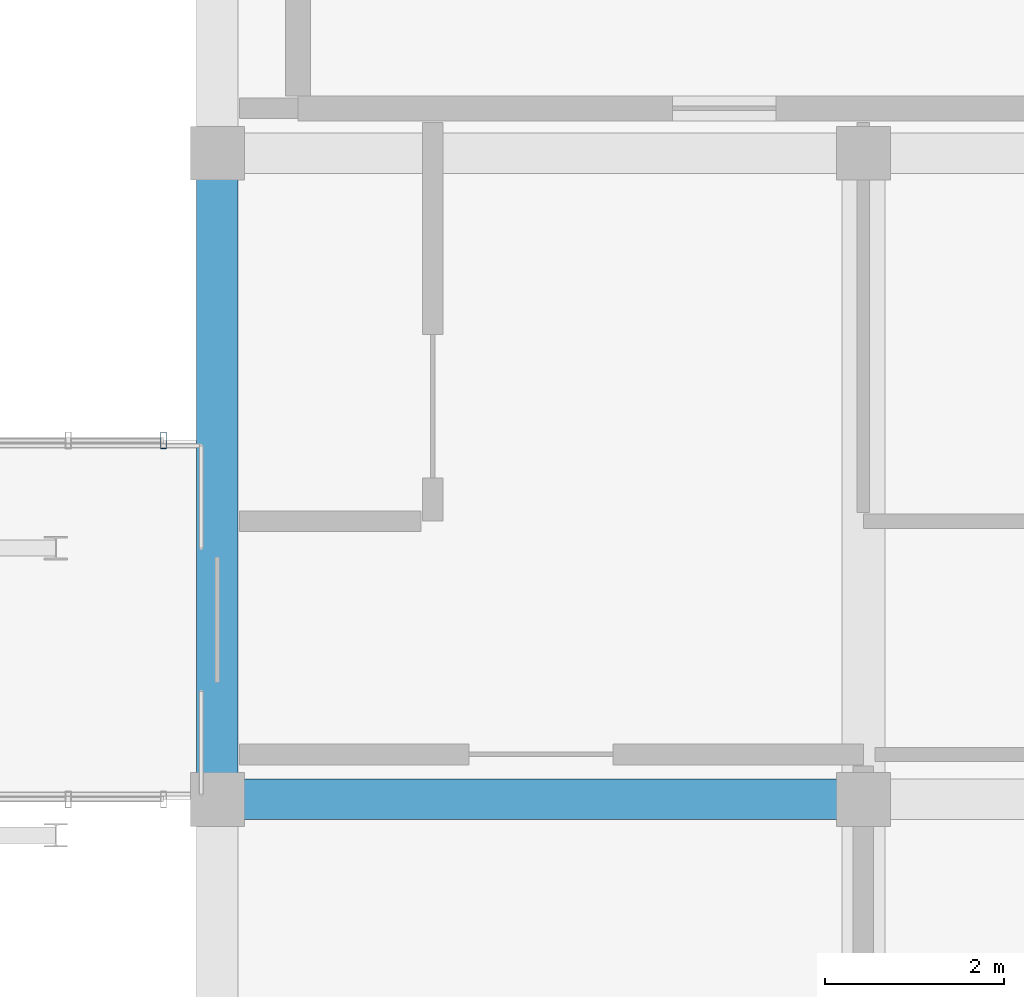
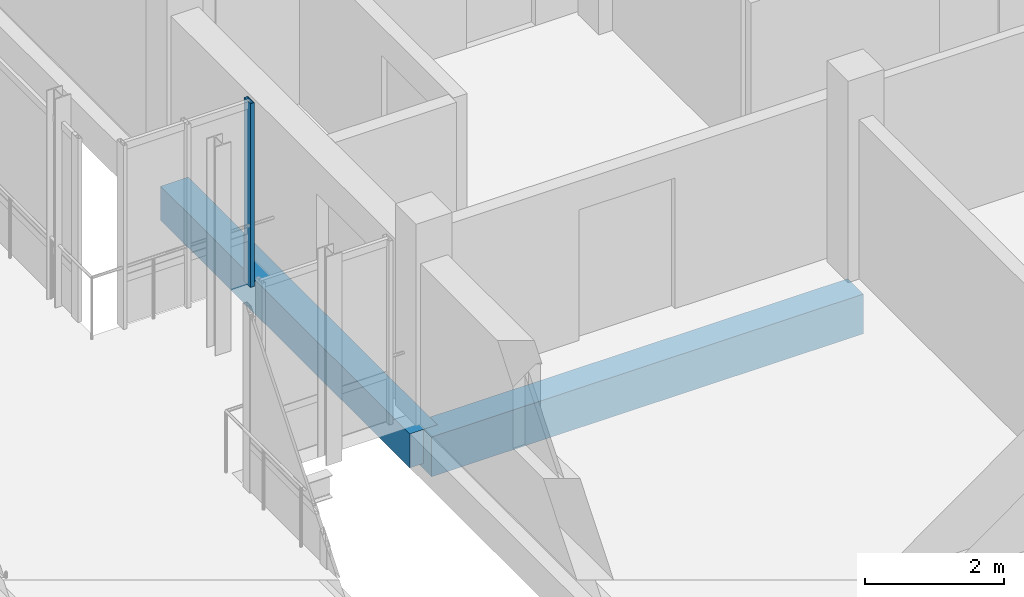
# One storey, part 19 of 128: 2 beams, 1 member, 1 element without a shape of its own.
"""IFC4 building model written with IfcOpenShell, lengths in metres."""

import ifcopenshell
import ifcopenshell.guid

model = None  # the IFC model being written
_history = None  # IfcOwnerHistory: only IFC2X3 demands one
_inside = {}  # id of a spatial element -> (the spatial element, [elements in it])
_under = {}  # id of a project, library or spatial element -> (it, [spatial elements below it])
_declared = {}  # id of a project -> (the project, [libraries it declares])
_typed = {}  # id of a type object -> (the type object, [elements of that type])
_made_of = {}  # id of a material, layer set ... -> (it, [elements and type objects made of it])


def new_model(schema):
    """Start an empty IFC model of exactly this schema.

    Asked for "IFC4X3", IfcOpenShell would pick the latest addendum, in which some entities
    have other attributes; the version numbers below select the first issue.
    IFC2X3 requires an IfcOwnerHistory on every rooted entity: one is made here for all.
    """
    global model, _history
    if schema == "IFC4X3":
        model = ifcopenshell.file(schema_version=(4, 3, 0, 0))
    else:
        model = ifcopenshell.file(schema=schema)
    _inside.clear()
    _under.clear()
    _declared.clear()
    _typed.clear()
    _made_of.clear()
    _history = None
    if model.schema == "IFC2X3":
        org = make("IfcOrganization", Name="unknown")
        user = make(
            "IfcPersonAndOrganization",
            ThePerson=make("IfcPerson", FamilyName="unknown"),
            TheOrganization=org,
        )
        app = make(
            "IfcApplication",
            ApplicationDeveloper=org,
            Version="unknown",
            ApplicationFullName="unknown",
            ApplicationIdentifier="unknown",
        )
        _history = make(
            "IfcOwnerHistory",
            OwningUser=user,
            OwningApplication=app,
            ChangeAction="ADDED",
            CreationDate=0,
        )
    return model


def make(cls, **values):
    """One entity of the class cls with the attributes given. An attribute that is None is left unset."""
    return model.create_entity(
        cls, **{name: value for name, value in values.items() if value is not None}
    )


def rooted(cls, **values):
    """An entity with a GlobalId (a new one), such as an element, a storey or a relation."""
    return make(cls, GlobalId=ifcopenshell.guid.new(), OwnerHistory=_history, **values)


def si_unit(unit_type, name, prefix=None):
    """IfcSIUnit, for example si_unit("LENGTHUNIT", "METRE", prefix="MILLI")."""
    return make("IfcSIUnit", UnitType=unit_type, Prefix=prefix, Name=name)


def assignment(units):
    """IfcUnitAssignment: the units of a project."""
    return None if units is None else make("IfcUnitAssignment", Units=units)


def point(xyz):
    """IfcCartesianPoint."""
    return None if xyz is None else make("IfcCartesianPoint", Coordinates=xyz)


def direction(xyz):
    """IfcDirection."""
    return None if xyz is None else make("IfcDirection", DirectionRatios=xyz)


def frame(location, z_axis=None, x_axis=None):
    """IfcAxis2Placement3D, a coordinate frame: its origin and axes. An axis left out is left unset."""
    return make(
        "IfcAxis2Placement3D",
        Location=point(location),
        Axis=direction(z_axis),
        RefDirection=direction(x_axis),
    )


def frame_2d(location, x_axis=None):
    """IfcAxis2Placement2D, a coordinate frame in the plane: its origin and x axis."""
    return make(
        "IfcAxis2Placement2D", Location=point(location), RefDirection=direction(x_axis)
    )


def origin():
    """The frame at (0, 0, 0) with its axes left unset."""
    return frame((0.0, 0.0, 0.0))


def origin_2d():
    """The frame at (0, 0) in the plane with its x axis left unset."""
    return frame_2d((0.0, 0.0))


def place(relative_to, where):
    """IfcLocalPlacement: puts the frame where relative to a parent placement (None: the world)."""
    return make(
        "IfcLocalPlacement", PlacementRelTo=relative_to, RelativePlacement=where
    )


def context(
    kind, dimensions, precision=None, world=None, true_north=None, identifier=None
):
    """IfcGeometricRepresentationContext, for example the 3D "Model" context."""
    return make(
        "IfcGeometricRepresentationContext",
        ContextIdentifier=identifier,
        ContextType=kind,
        CoordinateSpaceDimension=dimensions,
        Precision=precision,
        WorldCoordinateSystem=world,
        TrueNorth=true_north,
    )


def subcontext(parent, identifier, kind, view, scale=None):
    """IfcGeometricRepresentationSubContext, for example "Body" below "Model"."""
    return make(
        "IfcGeometricRepresentationSubContext",
        ContextIdentifier=identifier,
        ContextType=kind,
        ParentContext=parent,
        TargetScale=scale,
        TargetView=view,
    )


def project(units=None, contexts=None):
    """IfcProject with its units and contexts."""
    return rooted(
        "IfcProject",
        Name="project",
        RepresentationContexts=contexts,
        UnitsInContext=assignment(units),
    )


def spatial(cls, under=None, at=None, **own):
    """A site, building, storey or space (cls), placed at a placement, below another one or the project."""
    s = rooted(cls, ObjectPlacement=at, **own)
    if under is not None:
        _under.setdefault(under.id(), (under, []))[1].append(s)
    return s


def profile(cls, at=None, kind="AREA", **sizes):
    """A parametric profile (cls). Its sizes go by their IFC names, for example OverallWidth=200.0."""
    return make(cls, ProfileType=kind, Position=at, **sizes)


def rectangle(**sizes):
    """IfcRectangleProfileDef."""
    return profile("IfcRectangleProfileDef", **sizes)


def hollow_rectangle(**sizes):
    """IfcRectangleHollowProfileDef."""
    return profile("IfcRectangleHollowProfileDef", **sizes)


def extrude(swept, where, along, depth):
    """IfcExtrudedAreaSolid: the profile swept, set in the frame where, extruded along a direction by depth."""
    return make(
        "IfcExtrudedAreaSolid",
        SweptArea=swept,
        Position=where,
        ExtrudedDirection=direction(along),
        Depth=depth,
    )


def shape(context_of_items, identifier, shape_type, items):
    """IfcShapeRepresentation: the items that make up one representation, for example the "Body"."""
    return make(
        "IfcShapeRepresentation",
        ContextOfItems=context_of_items,
        RepresentationIdentifier=identifier,
        RepresentationType=shape_type,
        Items=items,
    )


def material(Name=None, Category=None):
    """IfcMaterial."""
    return make("IfcMaterial", Name=Name, Category=Category)


def material_profile(
    of_material, cross_section, Name=None, Category=None, Priority=None
):
    """IfcMaterialProfile: a cross section and its material."""
    return make(
        "IfcMaterialProfile",
        Name=Name,
        Material=of_material,
        Profile=cross_section,
        Priority=Priority,
        Category=Category,
    )


def profile_set(profiles, Name=None, composite=None):
    """IfcMaterialProfileSet."""
    return make(
        "IfcMaterialProfileSet",
        Name=Name,
        MaterialProfiles=profiles,
        CompositeProfile=composite,
    )


def made_of(thing, what):
    """Note that an element or type object is made of a material, layer set ...; save() writes the relation."""
    if what is not None:
        _made_of.setdefault(what.id(), (what, []))[1].append(thing)
    return thing


def type_object(cls, material=None, **own):
    """A type object (cls), such as IfcWallType, which elements share."""
    return made_of(rooted(cls, **own), material)


def element(
    cls,
    number,
    at=None,
    inside=None,
    cuts=None,
    type_object=None,
    material=None,
    context=None,
    identifier="Body",
    shape_type=None,
    held_by="IfcProductDefinitionShape",
    body=None,
    shapes=None,
    **own,
):
    """One element of the class cls, such as IfcWall. Its Tag is "e" and its number.

    at: its placement. inside: the storey or other place that contains it. cuts: it is an
    opening in that element (IfcRelVoidsElement). A single representation is given by context,
    identifier, shape_type and body (its items); several are given by shapes. held_by: the class
    of the entity that holds the representations. save() writes the other relations.
    """
    e = rooted(cls, Tag="e%d" % number, ObjectPlacement=at, **own)
    if body is not None:
        shapes = [shape(context, identifier, shape_type, body)]
    if shapes is not None:
        e.Representation = make(held_by, Representations=shapes)
    if inside is not None:
        _inside.setdefault(inside.id(), (inside, []))[1].append(e)
    if cuts is not None:
        rooted(
            "IfcRelVoidsElement", RelatingBuildingElement=cuts, RelatedOpeningElement=e
        )
    if type_object is not None:
        _typed.setdefault(type_object.id(), (type_object, []))[1].append(e)
    return made_of(e, material)


def aggregate(whole, parts):
    """IfcRelAggregates: a whole, such as a stair, and the parts it consists of."""
    return rooted("IfcRelAggregates", RelatingObject=whole, RelatedObjects=parts)


def save(model, path):
    """Write the relations noted so far, then the file.

    IfcRelAggregates (storeys below a building ...), IfcRelContainedInSpatialStructure (elements
    in a storey), IfcRelDefinesByType, IfcRelAssociatesMaterial and IfcRelDeclares: one each for
    every whole, place, type object, material and project.
    """
    for whole, parts in _under.values():
        aggregate(whole, parts)
    for where, things in _inside.values():
        rooted(
            "IfcRelContainedInSpatialStructure",
            RelatedElements=things,
            RelatingStructure=where,
        )
    for kind, things in _typed.values():
        rooted("IfcRelDefinesByType", RelatedObjects=things, RelatingType=kind)
    for what, things in _made_of.values():
        rooted("IfcRelAssociatesMaterial", RelatedObjects=things, RelatingMaterial=what)
    for by, libraries in _declared.values():
        rooted("IfcRelDeclares", RelatingContext=by, RelatedDefinitions=libraries)
    model.write(path)


model = new_model("IFC4")

# Units and contexts
model_context = context("Model", 3, precision=1e-05, world=origin(), true_north=direction((0.0, 1.0)))
body_context = subcontext(model_context, "Body", "Model", "MODEL_VIEW")
ifc_project = project(units=[si_unit("LENGTHUNIT", "METRE"), si_unit("AREAUNIT", "SQUARE_METRE"), si_unit("VOLUMEUNIT", "CUBIC_METRE"), si_unit("PLANEANGLEUNIT", "RADIAN"), si_unit("MASSUNIT", "GRAM", prefix="KILO")], contexts=[model_context])

# Site, building, storey
site_placement = place(None, origin())
site = spatial("IfcSite", under=ifc_project, at=site_placement, CompositionType="ELEMENT")
building_placement = place(site_placement, origin())
building = spatial("IfcBuilding", under=site, at=building_placement, Name="Zornivar Specialist Clinic", CompositionType="ELEMENT")
storey_placement = place(building_placement, frame((0.0, 0.0, 4.5)))
storey = spatial("IfcBuildingStorey", under=building, at=storey_placement, Name="L01", CompositionType="ELEMENT", Elevation=4.5)

# Beams
ifc_material_1 = material(Name="Concrete C30/37", Category="concrete")
ifc_material_profile_1 = material_profile(ifc_material_1, rectangle(XDim=0.449951171875, YDim=0.699951171875, at=origin_2d()), Name="RC 450x700")
ifc_profile_set_1 = profile_set([ifc_material_profile_1], Name="Concrete C30/37")
beam_type_1 = type_object("IfcBeamType", Name="BM-RC-450x700", PredefinedType="BEAM", material=ifc_profile_set_1)
beam_1_placement = place(storey_placement, frame((57.60009765625, 7.199951171875, -0.699951171875), z_axis=(1.0, 0.0, 0.0), x_axis=(0.0, 1.0, 0.0)))
element("IfcBeam", 1, at=beam_1_placement, inside=storey, type_object=beam_type_1, Name="bm:V3:L01:x:72:0", PredefinedType="BEAM", context=body_context, shape_type="SweptSolid", body=[
    extrude(rectangle(XDim=0.449951171875, YDim=0.699951171875, at=origin_2d()), origin(), (0.0, 0.0, 1.0), 7.199951171875),
])
ifc_material_2 = material(Name="Concrete C30/37", Category="concrete")
ifc_material_profile_2 = material_profile(ifc_material_2, rectangle(XDim=0.4599609375, YDim=0.60009765625, at=origin_2d()), Name="RC 460x600")
ifc_profile_set_2 = profile_set([ifc_material_profile_2], Name="Concrete C30/37")
beam_type_2 = type_object("IfcBeamType", Name="BM-RC-SPANDREL-460x600", PredefinedType="SPANDREL", material=ifc_profile_set_2)
beam_2_placement = place(storey_placement, frame((57.60009765625, 7.199951171875, -0.64990234375), z_axis=(0.0, 1.0, 0.0), x_axis=(-1.0, 0.0, 0.0)))
element("IfcBeam", 2, at=beam_2_placement, inside=storey, type_object=beam_type_2, Name="bm:V3:L01:y:576:1", PredefinedType="SPANDREL", context=body_context, shape_type="SweptSolid", body=[
    extrude(rectangle(XDim=0.4599609375, YDim=0.60009765625, at=origin_2d()), origin(), (0.0, 0.0, 1.0), 7.199951171875),
])

# Curtain wall, member
ifc_material_3 = material(Name="Aluminium and Low-E Glass Curtain Wall", Category="aluminium")
curtain_wall_type = type_object("IfcCurtainWallType", Name="CW-BRIDGE-LINK", PredefinedType="NOTDEFINED", material=ifc_material_3)
curtain_wall_placement = place(storey_placement, origin())
curtain_wall = element("IfcCurtainWall", 3, at=curtain_wall_placement, inside=storey, type_object=curtain_wall_type, Name="cw:BR1:L01:spN", PredefinedType="NOTDEFINED")
ifc_material_4 = material(Name="Aluminium AW-6060", Category="aluminium")
ifc_material_profile_3 = material_profile(ifc_material_4, hollow_rectangle(XDim=0.06494140625, YDim=0.18505859375, WallThickness=0.00439453125, at=origin_2d()), Name="ALU 65x185x4.5")
ifc_profile_set_3 = profile_set([ifc_material_profile_3], Name="Aluminium AW-6060")
member_type = type_object("IfcMemberType", Name="CWM-MUL-185", PredefinedType="MULLION", material=ifc_profile_set_3)
member_placement = place(storey_placement, frame((57.0, 11.199951171875, 0.0), z_axis=(0.0, 0.0, 1.0), x_axis=(1.0, 0.0, 0.0)))
member = element("IfcMember", 4, at=member_placement, type_object=member_type, Name="cw:BR1:L01:spN:mul:2", PredefinedType="MULLION", context=body_context, shape_type="SweptSolid", body=[
    extrude(hollow_rectangle(XDim=0.06494140625, YDim=0.18505859375, WallThickness=0.00439453125, at=origin_2d()), origin(), (0.0, 0.0, 1.0), 3.239990234375),
])
aggregate(curtain_wall, [member])

save(model, "model.ifc")
